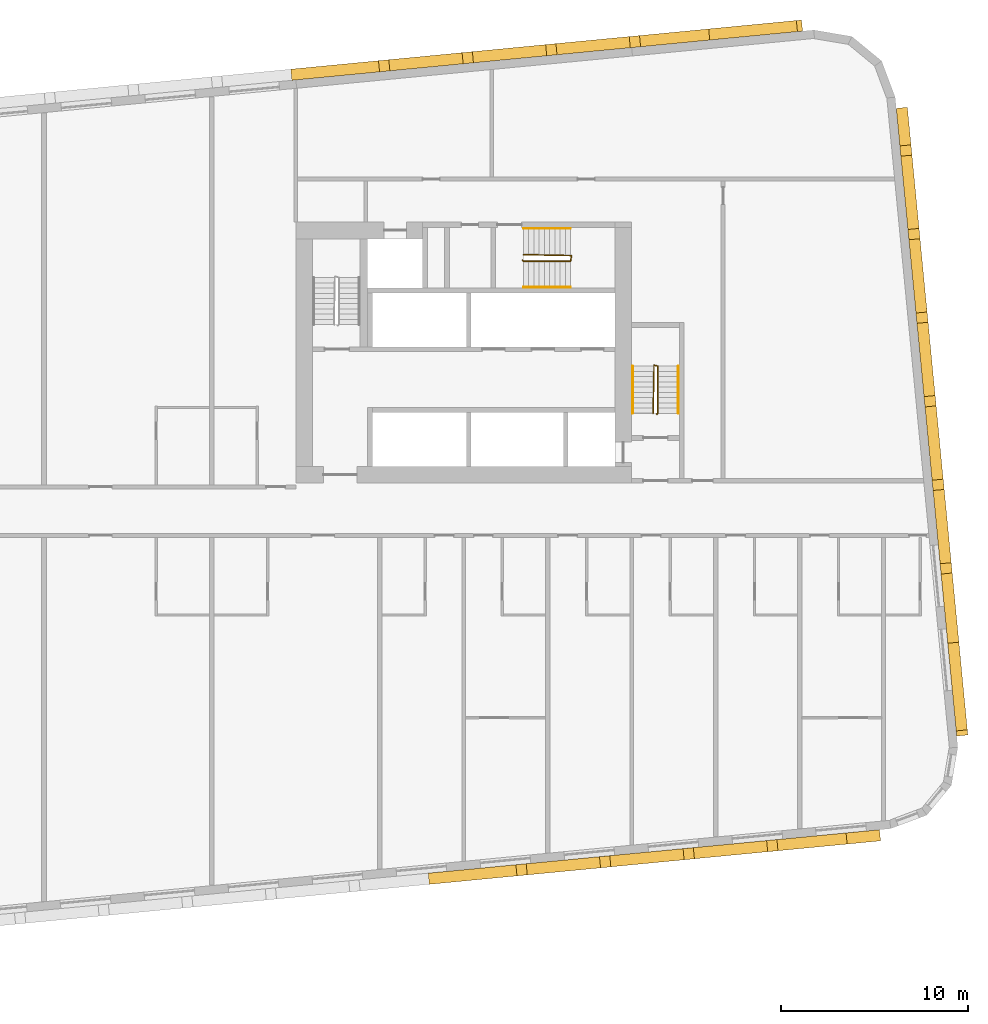
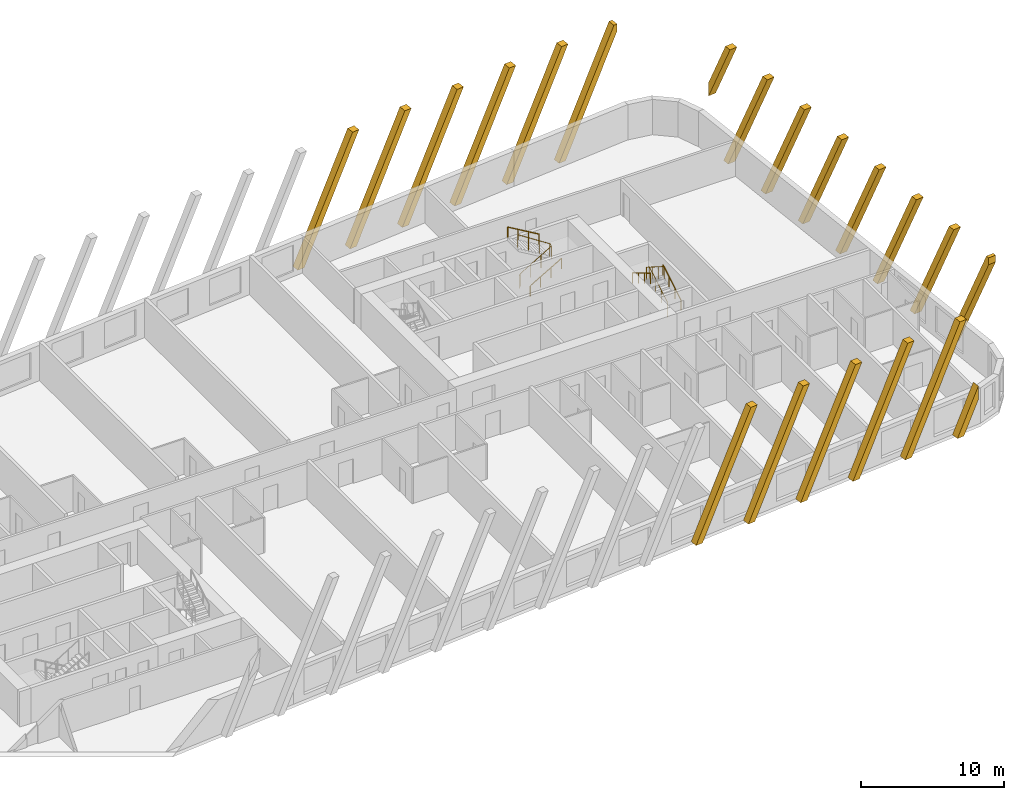
# One storey, part 13 of 13: 20 coverings, 6 railings.
"""IFC4 building model written with IfcOpenShell, lengths in metres."""

from ifc_helpers import new_model, si_unit, direction, frame, origin, origin_2d, place, context, subcontext, project, spatial, polyline, rectangle, circle, outline, extrude, material, material_profile, profile_set, type_object, element, save


model = new_model("IFC4")

# Units and contexts
model_context = context("Model", 3, precision=1e-05, world=origin(), true_north=direction((0.0, 1.0)))
body_context = subcontext(model_context, "Body", "Model", "MODEL_VIEW")
ifc_project = project(units=[si_unit("LENGTHUNIT", "METRE"), si_unit("AREAUNIT", "SQUARE_METRE"), si_unit("VOLUMEUNIT", "CUBIC_METRE"), si_unit("PLANEANGLEUNIT", "RADIAN"), si_unit("MASSUNIT", "GRAM", prefix="KILO")], contexts=[model_context])

# Site, building, storey
site_placement = place(None, origin())
site = spatial("IfcSite", under=ifc_project, at=site_placement, CompositionType="ELEMENT")
building_placement = place(site_placement, origin())
building = spatial("IfcBuilding", under=site, at=building_placement, Name="Kajstack Hotel Tower", CompositionType="ELEMENT")
storey_placement = place(building_placement, frame((0.0, 0.0, 120.699951171875)))
storey = spatial("IfcBuildingStorey", under=building, at=storey_placement, Name="L26", CompositionType="ELEMENT", Elevation=120.699951171875)

# Coverings
ifc_material_1 = material(Name="Terracotta", Category="masonry")
ifc_material_profile = material_profile(ifc_material_1, rectangle(XDim=0.60009765625, YDim=0.5, at=origin_2d()), Name="Terracotta-clad concrete baguette 500 x 600")
ifc_profile_set = profile_set([ifc_material_profile], Name="Terracotta")
covering_type = type_object("IfcCoveringType", Name="BAGUETTE 500x600", PredefinedType="CLADDING", material=ifc_profile_set)
for number, where, z_axis, x_axis, name in (
    (1, (20.594482421875, -19.401611328125, 0.0), (0.095634862357, -0.995416482233, 0.0), (0.995416482233, 0.095634862357, 0.0), "Baguette L26-04-049"),
    (2, (25.07373046875, -18.97021484375, 0.0), (0.095634862357, -0.995416482233, 0.0), (0.995416482233, 0.095634862357, 0.0), "Baguette L26-04-053"),
    (3, (29.552978515625, -18.5390625, 0.0), (0.095634862357, -0.995416482233, 0.0), (0.995416482233, 0.095634862357, 0.0), "Baguette L26-04-057"),
    (4, (34.0322265625, -18.107666015625, 0.0), (0.096038073607, -0.995377661201, 0.0), (0.995377661201, 0.096038073607, 0.0), "Baguette L26-04-061"),
):
    element("IfcCovering", number, at=place(storey_placement, frame(where, z_axis=z_axis, x_axis=x_axis)), inside=storey, type_object=covering_type, Name=name, PredefinedType="CLADDING", context=body_context, shape_type="SweptSolid", body=[
        extrude(outline(polyline([(4.72216796875, 9.89990234375), (0.0, 0.0), (0.553955078125, 0.0), (5.276123046875, 9.89990234375), (4.72216796875, 9.89990234375)])), origin(), (0.0, 0.0, 1.0), 0.599853515625),
    ])
covering_1_placement = place(storey_placement, frame((38.511474609375, -17.67626953125, 0.0), z_axis=(0.095999188106, -0.995381412265, 0.0), x_axis=(0.995381412265, 0.095999188106, 0.0)))
element("IfcCovering", 5, at=covering_1_placement, inside=storey, type_object=covering_type, Name="Baguette L26-04-065", PredefinedType="CLADDING", context=body_context, shape_type="SweptSolid", body=[
    extrude(outline(polyline([(4.72216796875, 9.89990234375), (0.0, 0.0), (0.553955078125, 0.0), (5.276123046875, 9.89990234375), (4.72216796875, 9.89990234375)])), origin(), (0.0, 0.0, 1.0), 0.60009765625),
])
covering_2_placement = place(storey_placement, frame((42.99072265625, -17.2451171875, 0.0), z_axis=(0.096038073607, -0.995377661201, 0.0), x_axis=(0.995377661201, 0.096038073607, 0.0)))
element("IfcCovering", 6, at=covering_2_placement, inside=storey, type_object=covering_type, Name="Baguette L26-04-069", PredefinedType="CLADDING", context=body_context, shape_type="SweptSolid", body=[
    extrude(outline(polyline([(0.553955078125, 0.0), (1.799072265625, 2.6103515625), (1.799072265625, 3.771728515625), (0.0, 0.0), (0.553955078125, 0.0)])), origin(), (0.0, 0.0, 1.0), 0.599853515625),
])
covering_3_placement = place(storey_placement, frame((48.91943359375, -12.052978515625, 0.0), z_axis=(0.995381412265, 0.095999188106, 0.0), x_axis=(-0.095999188106, 0.995381412265, 0.0)))
element("IfcCovering", 7, at=covering_3_placement, inside=storey, type_object=covering_type, Name="Baguette L26-08-001", PredefinedType="CLADDING", context=body_context, shape_type="SweptSolid", body=[
    extrude(outline(polyline([(0.277099609375, 9.89990234375), (0.0, 9.89990234375), (0.0, 9.3193359375), (4.445068359375, 0.0), (4.9990234375, 0.0), (0.277099609375, 9.89990234375)])), origin(), (0.0, 0.0, 1.0), 0.60009765625),
])
covering_4_placement = place(storey_placement, frame((48.5146484375, -7.849365234375, 0.0), z_axis=(0.995381412265, 0.095999188106, 0.0), x_axis=(-0.095999188106, 0.995381412265, 0.0)))
element("IfcCovering", 8, at=covering_4_placement, inside=storey, type_object=covering_type, Name="Baguette L26-08-005", PredefinedType="CLADDING", context=body_context, shape_type="SweptSolid", body=[
    extrude(outline(polyline([(0.0, 9.89990234375), (4.72216796875, 0.0), (5.276123046875, 0.0), (0.553955078125, 9.89990234375), (0.0, 9.89990234375)])), origin(), (0.0, 0.0, 1.0), 0.60009765625),
])
for number, where, z_axis, x_axis, name in (
    (9, (48.08349609375, -3.369873046875, 0.0), (0.995416482233, 0.095634862357, 0.0), (-0.095634862357, 0.995416482233, 0.0), "Baguette L26-08-009"),
    (10, (47.652099609375, 1.109375, 0.0), (0.995416482233, 0.095634862357, 0.0), (-0.095634862357, 0.995416482233, 0.0), "Baguette L26-08-013"),
):
    element("IfcCovering", number, at=place(storey_placement, frame(where, z_axis=z_axis, x_axis=x_axis)), inside=storey, type_object=covering_type, Name=name, PredefinedType="CLADDING", context=body_context, shape_type="SweptSolid", body=[
        extrude(outline(polyline([(0.0, 9.89990234375), (4.72216796875, 0.0), (5.276123046875, 0.0), (0.553955078125, 9.89990234375), (0.0, 9.89990234375)])), origin(), (0.0, 0.0, 1.0), 0.599853515625),
    ])
covering_5_placement = place(storey_placement, frame((47.220703125, 5.588623046875, 0.0), z_axis=(0.995420202011, 0.095596137095, 0.0), x_axis=(-0.095596137095, 0.995420202011, 0.0)))
element("IfcCovering", 11, at=covering_5_placement, inside=storey, type_object=covering_type, Name="Baguette L26-08-017", PredefinedType="CLADDING", context=body_context, shape_type="SweptSolid", body=[
    extrude(outline(polyline([(0.0, 9.89990234375), (4.72216796875, 0.0), (5.276123046875, 0.0), (0.553955078125, 9.89990234375), (0.0, 9.89990234375)])), origin(), (0.0, 0.0, 1.0), 0.60009765625),
])
for number, where, z_axis, x_axis, name in (
    (12, (46.78955078125, 10.06787109375, 0.0), (0.995377661201, 0.096038073607, 0.0), (-0.096038073607, 0.995377661201, 0.0), "Baguette L26-08-021"),
    (13, (46.358154296875, 14.547119140625, 0.0), (0.995377661201, 0.096038073607, 0.0), (-0.096038073607, 0.995377661201, 0.0), "Baguette L26-08-025"),
):
    element("IfcCovering", number, at=place(storey_placement, frame(where, z_axis=z_axis, x_axis=x_axis)), inside=storey, type_object=covering_type, Name=name, PredefinedType="CLADDING", context=body_context, shape_type="SweptSolid", body=[
        extrude(outline(polyline([(0.0, 9.89990234375), (4.72216796875, 0.0), (5.276123046875, 0.0), (0.553955078125, 9.89990234375), (0.0, 9.89990234375)])), origin(), (0.0, 0.0, 1.0), 0.599853515625),
    ])
covering_6_placement = place(storey_placement, frame((45.927001953125, 19.0263671875, 0.0), z_axis=(0.995377661201, 0.096038073607, 0.0), x_axis=(-0.096038073607, 0.995377661201, 0.0)))
element("IfcCovering", 14, at=covering_6_placement, inside=storey, type_object=covering_type, Name="Baguette L26-08-029", PredefinedType="CLADDING", context=body_context, shape_type="SweptSolid", body=[
    extrude(outline(polyline([(0.0, 9.89990234375), (2.576904296875, 4.49755859375), (2.576904296875, 5.658935546875), (0.553955078125, 9.89990234375), (0.0, 9.89990234375)])), origin(), (0.0, 0.0, 1.0), 0.599853515625),
])
covering_7_placement = place(storey_placement, frame((40.66015625, 25.7294921875, 0.0), z_axis=(-0.095634862357, 0.995416482233, 0.0), x_axis=(-0.995416482233, -0.095634862357, 0.0)))
element("IfcCovering", 15, at=covering_7_placement, inside=storey, type_object=covering_type, Name="Baguette L26-12-001", PredefinedType="CLADDING", context=body_context, shape_type="SweptSolid", body=[
    extrude(outline(polyline([(0.277099609375, 9.89990234375), (0.0, 9.89990234375), (0.0, 9.3193359375), (4.445068359375, 0.0), (4.9990234375, 0.0), (0.277099609375, 9.89990234375)])), origin(), (0.0, 0.0, 1.0), 0.599853515625),
])
for number, where, z_axis, x_axis, name in (
    (16, (36.456787109375, 25.32470703125, 0.0), (-0.096038073607, 0.995377661201, 0.0), (-0.995377661201, -0.096038073607, 0.0), "Baguette L26-12-005"),
    (17, (31.977294921875, 24.893310546875, 0.0), (-0.095634862357, 0.995416482233, 0.0), (-0.995416482233, -0.095634862357, 0.0), "Baguette L26-12-009"),
):
    element("IfcCovering", number, at=place(storey_placement, frame(where, z_axis=z_axis, x_axis=x_axis)), inside=storey, type_object=covering_type, Name=name, PredefinedType="CLADDING", context=body_context, shape_type="SweptSolid", body=[
        extrude(outline(polyline([(0.0, 9.89990234375), (4.72216796875, 0.0), (5.276123046875, 0.0), (0.553955078125, 9.89990234375), (0.0, 9.89990234375)])), origin(), (0.0, 0.0, 1.0), 0.599853515625),
    ])
covering_8_placement = place(storey_placement, frame((27.498046875, 24.4619140625, 0.0), z_axis=(-0.095596137095, 0.995420202011, 0.0), x_axis=(-0.995420202011, -0.095596137095, 0.0)))
element("IfcCovering", 18, at=covering_8_placement, inside=storey, type_object=covering_type, Name="Baguette L26-12-013", PredefinedType="CLADDING", context=body_context, shape_type="SweptSolid", body=[
    extrude(outline(polyline([(0.0, 9.89990234375), (4.72216796875, 0.0), (5.276123046875, 0.0), (0.553955078125, 9.89990234375), (0.0, 9.89990234375)])), origin(), (0.0, 0.0, 1.0), 0.60009765625),
])
for number, where, z_axis, x_axis, name in (
    (19, (23.018798828125, 24.03076171875, 0.0), (-0.095634862357, 0.995416482233, 0.0), (-0.995416482233, -0.095634862357, 0.0), "Baguette L26-12-017"),
    (20, (18.53955078125, 23.599365234375, 0.0), (-0.096038073607, 0.995377661201, 0.0), (-0.995377661201, -0.096038073607, 0.0), "Baguette L26-12-021"),
):
    element("IfcCovering", number, at=place(storey_placement, frame(where, z_axis=z_axis, x_axis=x_axis)), inside=storey, type_object=covering_type, Name=name, PredefinedType="CLADDING", context=body_context, shape_type="SweptSolid", body=[
        extrude(outline(polyline([(0.0, 9.89990234375), (4.72216796875, 0.0), (5.276123046875, 0.0), (0.553955078125, 9.89990234375), (0.0, 9.89990234375)])), origin(), (0.0, 0.0, 1.0), 0.599853515625),
    ])

# Railings
ifc_material_2 = material(Name="Steel S355J2", Category="steel")
railing_type_1 = type_object("IfcRailingType", Name="Stair guard 1100", PredefinedType="GUARDRAIL", material=ifc_material_2)
railing_1_placement = place(storey_placement, frame((32.85009765625, 5.199951171875, 0.0)))
element("IfcRailing", 21, at=railing_1_placement, inside=storey, type_object=railing_type_1, Name="L26 E1 stair guard 1", PredefinedType="GUARDRAIL", context=body_context, shape_type="SweptSolid", body=[
    extrude(circle(Radius=0.02392578125, at=origin_2d()), frame((0.0, 0.0, 1.076171875), z_axis=(0.277450376394, 0.278810427259, 0.919394384522), x_axis=(-0.708833529934, 0.705375805398, 0.0)), (0.0, 0.0, 1.0), 0.179443359375),
    extrude(circle(Radius=0.02392578125, at=origin_2d()), frame((0.0498046875, 0.050048828125, 1.2412109375), z_axis=(0.0, 0.86152411907, 0.507716645641), x_axis=(-1.0, 0.0, 0.0)), (0.0, 0.0, 1.0), 2.925048828125),
    extrude(circle(Radius=0.02392578125, at=origin_2d()), frame((0.0498046875, 2.570068359375, 2.72607421875), z_axis=(-0.970072785993, 0.242814311512, 0.0), x_axis=(-0.242814311512, -0.970072785993, 0.0)), (0.0, 0.0, 1.0), 0.2060546875),
    extrude(circle(Radius=0.02392578125, at=origin_2d()), frame((-0.150146484375, 2.6201171875, 2.72607421875), z_axis=(-0.016385308676, -0.841405582595, 0.540155687962), x_axis=(0.999810440751, -0.019470042781, 0.0)), (0.0, 0.0, 1.0), 3.054443359375),
    extrude(circle(Radius=0.02099609375, at=origin_2d()), origin(), (0.0, 0.0, 1.0), 1.052001953125),
    extrude(circle(Radius=0.02099609375, at=origin_2d()), frame((0.0498046875, 0.050048828125, 0.1650390625)), (0.0, 0.0, 1.0), 1.052001953125),
    extrude(circle(Radius=0.02099609375, at=origin_2d()), frame((0.0498046875, 0.89013671875, 0.66015625)), (0.0, 0.0, 1.0), 1.052001953125),
    extrude(circle(Radius=0.02099609375, at=origin_2d()), frame((0.0498046875, 1.72998046875, 1.155029296875)), (0.0, 0.0, 1.0), 1.052001953125),
    extrude(circle(Radius=0.02099609375, at=origin_2d()), frame((0.0498046875, 2.570068359375, 1.650146484375)), (0.0, 0.0, 1.0), 1.052001953125),
    extrude(circle(Radius=0.02099609375, at=origin_2d()), frame((-0.150146484375, 2.6201171875, 1.650146484375)), (0.0, 0.0, 1.0), 1.052001953125),
    extrude(circle(Radius=0.02099609375, at=origin_2d()), frame((-0.166748046875, 1.763427734375, 2.2001953125)), (0.0, 0.0, 1.0), 1.052001953125),
    extrude(circle(Radius=0.02099609375, at=origin_2d()), frame((-0.18359375, 0.90673828125, 2.75)), (0.0, 0.0, 1.0), 1.052001953125),
    extrude(circle(Radius=0.02099609375, at=origin_2d()), frame((-0.2001953125, 0.050048828125, 3.300048828125)), (0.0, 0.0, 1.0), 1.052001953125),
])
railing_2_placement = place(storey_placement, frame((25.64990234375, 13.449951171875, 0.0)))
element("IfcRailing", 22, at=railing_2_placement, inside=storey, type_object=railing_type_1, Name="L26 E3 stair guard 1", PredefinedType="GUARDRAIL", context=body_context, shape_type="SweptSolid", body=[
    extrude(circle(Radius=0.02392578125, at=origin_2d()), frame((0.0, 0.0, 1.076171875), z_axis=(0.278705021027, -0.278705021027, 0.919046801044), x_axis=(0.707106781187, 0.707106781187, 0.0)), (0.0, 0.0, 1.0), 0.1796875),
    extrude(circle(Radius=0.02392578125, at=origin_2d()), frame((0.050048828125, -0.050048828125, 1.2412109375), z_axis=(0.86152411907, 0.0, 0.507716645641), x_axis=(0.0, 1.0, 0.0)), (0.0, 0.0, 1.0), 2.925048828125),
    extrude(circle(Radius=0.02392578125, at=origin_2d()), frame((2.570068359375, -0.050048828125, 2.72607421875), z_axis=(0.164529134168, 0.986372223864, 0.0), x_axis=(-0.986372223864, 0.164529134168, 0.0)), (0.0, 0.0, 1.0), 0.30419921875),
    extrude(circle(Radius=0.02392578125, at=origin_2d()), frame((2.6201171875, 0.25, 2.72607421875), z_axis=(-0.841405582595, 0.016385308676, 0.540155687962), x_axis=(-0.019470042781, -0.999810440751, 0.0)), (0.0, 0.0, 1.0), 3.054443359375),
    extrude(circle(Radius=0.02099609375, at=origin_2d()), origin(), (0.0, 0.0, 1.0), 1.052001953125),
    extrude(circle(Radius=0.02099609375, at=origin_2d()), frame((0.050048828125, -0.050048828125, 0.1650390625)), (0.0, 0.0, 1.0), 1.052001953125),
    extrude(circle(Radius=0.02099609375, at=origin_2d()), frame((0.89013671875, -0.050048828125, 0.66015625)), (0.0, 0.0, 1.0), 1.052001953125),
    extrude(circle(Radius=0.02099609375, at=origin_2d()), frame((1.72998046875, -0.050048828125, 1.155029296875)), (0.0, 0.0, 1.0), 1.052001953125),
    extrude(circle(Radius=0.02099609375, at=origin_2d()), frame((2.570068359375, -0.050048828125, 1.650146484375)), (0.0, 0.0, 1.0), 1.052001953125),
    extrude(circle(Radius=0.02099609375, at=origin_2d()), frame((2.6201171875, 0.25, 1.650146484375)), (0.0, 0.0, 1.0), 1.052001953125),
    extrude(circle(Radius=0.02099609375, at=origin_2d()), frame((1.763427734375, 0.2666015625, 2.2001953125)), (0.0, 0.0, 1.0), 1.052001953125),
    extrude(circle(Radius=0.02099609375, at=origin_2d()), frame((0.90673828125, 0.283447265625, 2.75)), (0.0, 0.0, 1.0), 1.052001953125),
    extrude(circle(Radius=0.02099609375, at=origin_2d()), frame((0.050048828125, 0.300048828125, 3.300048828125)), (0.0, 0.0, 1.0), 1.052001953125),
])
railing_type_2 = type_object("IfcRailingType", Name="Stair handrail 900", PredefinedType="HANDRAIL", material=ifc_material_2)
railing_3_placement = place(storey_placement, frame((34.0, 5.25, 0.1650390625)))
element("IfcRailing", 23, at=railing_3_placement, inside=storey, type_object=railing_type_2, Name="L26 E1 stair handrail 1", PredefinedType="HANDRAIL", context=body_context, shape_type="SweptSolid", body=[
    extrude(circle(Radius=0.02392578125, at=origin_2d()), frame((0.0, 0.0, 0.8759765625), z_axis=(0.0, 0.86152411907, 0.507716645641), x_axis=(-1.0, 0.0, 0.0)), (0.0, 0.0, 1.0), 2.925048828125),
    extrude(circle(Radius=0.02099609375, at=origin_2d()), origin(), (0.0, 0.0, 1.0), 0.851806640625),
    extrude(circle(Radius=0.02099609375, at=origin_2d()), frame((0.0, 0.840087890625, 0.4951171875)), (0.0, 0.0, 1.0), 0.851806640625),
    extrude(circle(Radius=0.02099609375, at=origin_2d()), frame((0.0, 1.679931640625, 0.989990234375)), (0.0, 0.0, 1.0), 0.851806640625),
    extrude(circle(Radius=0.02099609375, at=origin_2d()), frame((0.0, 2.52001953125, 1.485107421875)), (0.0, 0.0, 1.0), 0.851806640625),
])
railing_4_placement = place(storey_placement, frame((31.550048828125, 7.77001953125, 1.81494140625)))
element("IfcRailing", 24, at=railing_4_placement, inside=storey, type_object=railing_type_2, Name="L26 E1 stair handrail 2", PredefinedType="HANDRAIL", context=body_context, shape_type="SweptSolid", body=[
    extrude(circle(Radius=0.02392578125, at=origin_2d()), frame((0.0, 0.0, 0.8759765625), z_axis=(0.0, -0.86152411907, 0.507716645641), x_axis=(1.0, 0.0, 0.0)), (0.0, 0.0, 1.0), 2.925048828125),
    extrude(circle(Radius=0.02099609375, at=origin_2d()), origin(), (0.0, 0.0, 1.0), 0.851806640625),
    extrude(circle(Radius=0.02099609375, at=origin_2d()), frame((0.0, -0.840087890625, 0.4951171875)), (0.0, 0.0, 1.0), 0.851806640625),
    extrude(circle(Radius=0.02099609375, at=origin_2d()), frame((0.0, -1.679931640625, 0.989990234375)), (0.0, 0.0, 1.0), 0.851806640625),
    extrude(circle(Radius=0.02099609375, at=origin_2d()), frame((0.0, -2.52001953125, 1.485107421875)), (0.0, 0.0, 1.0), 0.851806640625),
])
railing_5_placement = place(storey_placement, frame((25.699951171875, 12.0, 0.1650390625)))
element("IfcRailing", 25, at=railing_5_placement, inside=storey, type_object=railing_type_2, Name="L26 E3 stair handrail 1", PredefinedType="HANDRAIL", context=body_context, shape_type="SweptSolid", body=[
    extrude(circle(Radius=0.02392578125, at=origin_2d()), frame((0.0, 0.0, 0.8759765625), z_axis=(0.86152411907, 0.0, 0.507716645641), x_axis=(0.0, 1.0, 0.0)), (0.0, 0.0, 1.0), 2.925048828125),
    extrude(circle(Radius=0.02099609375, at=origin_2d()), origin(), (0.0, 0.0, 1.0), 0.851806640625),
    extrude(circle(Radius=0.02099609375, at=origin_2d()), frame((0.840087890625, 0.0, 0.4951171875)), (0.0, 0.0, 1.0), 0.851806640625),
    extrude(circle(Radius=0.02099609375, at=origin_2d()), frame((1.679931640625, 0.0, 0.989990234375)), (0.0, 0.0, 1.0), 0.851806640625),
    extrude(circle(Radius=0.02099609375, at=origin_2d()), frame((2.52001953125, 0.0, 1.485107421875)), (0.0, 0.0, 1.0), 0.851806640625),
])
railing_6_placement = place(storey_placement, frame((28.219970703125, 15.14990234375, 1.81494140625)))
element("IfcRailing", 26, at=railing_6_placement, inside=storey, type_object=railing_type_2, Name="L26 E3 stair handrail 2", PredefinedType="HANDRAIL", context=body_context, shape_type="SweptSolid", body=[
    extrude(circle(Radius=0.02392578125, at=origin_2d()), frame((0.0, 0.0, 0.8759765625), z_axis=(-0.86152411907, 0.0, 0.507716645641), x_axis=(0.0, -1.0, 0.0)), (0.0, 0.0, 1.0), 2.925048828125),
    extrude(circle(Radius=0.02099609375, at=origin_2d()), origin(), (0.0, 0.0, 1.0), 0.851806640625),
    extrude(circle(Radius=0.02099609375, at=origin_2d()), frame((-0.840087890625, 0.0, 0.4951171875)), (0.0, 0.0, 1.0), 0.851806640625),
    extrude(circle(Radius=0.02099609375, at=origin_2d()), frame((-1.679931640625, 0.0, 0.989990234375)), (0.0, 0.0, 1.0), 0.851806640625),
    extrude(circle(Radius=0.02099609375, at=origin_2d()), frame((-2.52001953125, 0.0, 1.485107421875)), (0.0, 0.0, 1.0), 0.851806640625),
])

save(model, "model.ifc")
